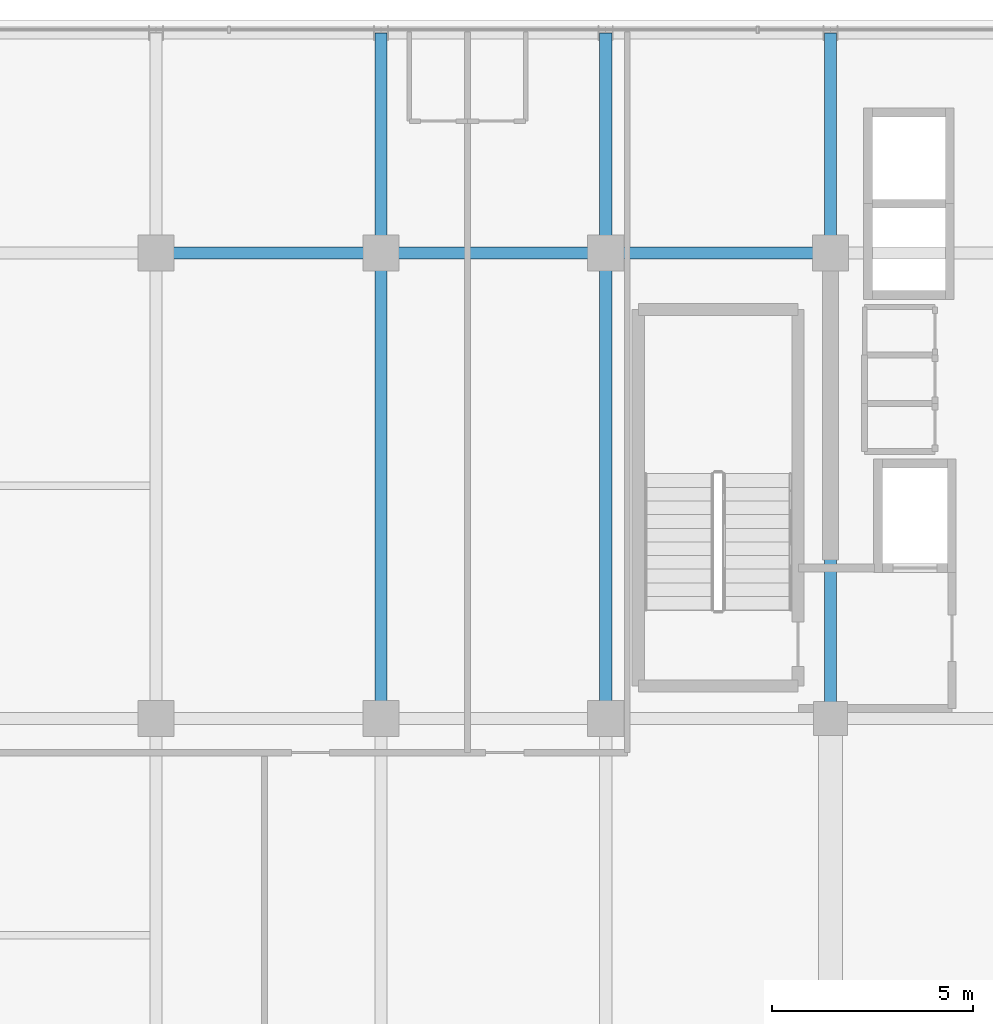
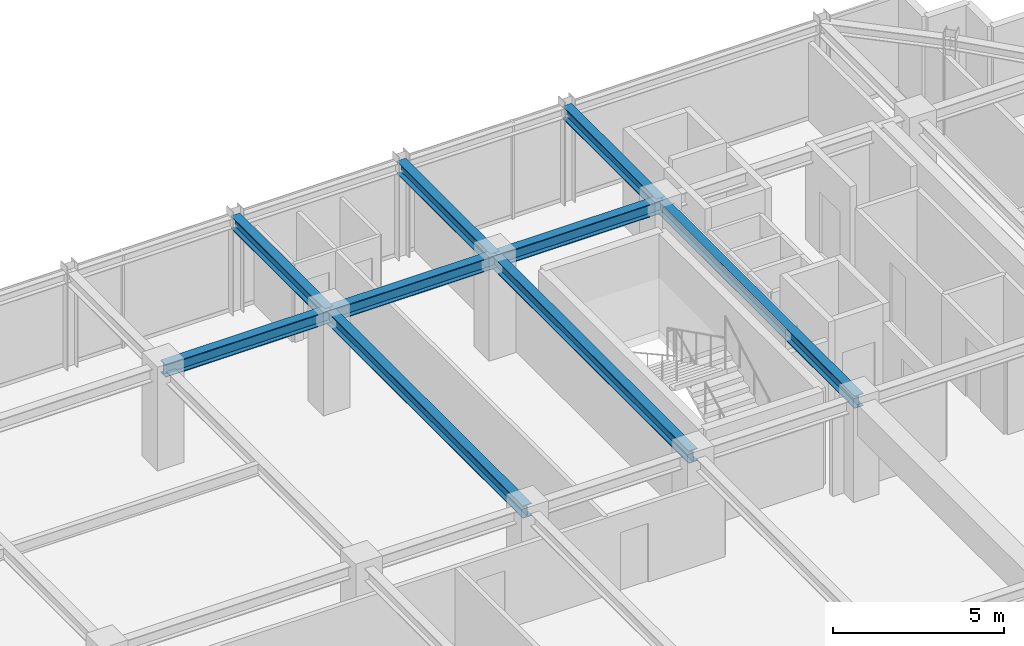
# One storey, part 18 of 33: 9 beams.
"""IFC4 building model written with IfcOpenShell, lengths in metres."""

from ifc_helpers import new_model, si_unit, direction, frame, origin, origin_2d, place, context, subcontext, project, spatial, i_section, extrude, source, transform, mapped, material, material_profile, profile_set, type_object, element, save


model = new_model("IFC4")

# Units and contexts
model_context = context("Model", 3, precision=1e-05, world=origin(), true_north=direction((0.0, 1.0)))
body_context = subcontext(model_context, "Body", "Model", "MODEL_VIEW")
ifc_project = project(units=[si_unit("LENGTHUNIT", "METRE"), si_unit("AREAUNIT", "SQUARE_METRE"), si_unit("VOLUMEUNIT", "CUBIC_METRE"), si_unit("PLANEANGLEUNIT", "RADIAN"), si_unit("MASSUNIT", "GRAM", prefix="KILO")], contexts=[model_context])

# Site, building, storey
site_placement = place(None, origin())
site = spatial("IfcSite", under=ifc_project, at=site_placement, CompositionType="ELEMENT")
building_placement = place(site_placement, origin())
building = spatial("IfcBuilding", under=site, at=building_placement, Name="Nahalor Promenade Grand Hotel", CompositionType="ELEMENT")
storey_placement = place(building_placement, frame((0.0, 0.0, 270.050048828125)))
storey = spatial("IfcBuildingStorey", under=building, at=storey_placement, Name="L69", CompositionType="ELEMENT", Elevation=270.050048828125)

# Beams
ifc_material = material(Name="Steel S355JR", Category="steel")
ifc_material_profile = material_profile(ifc_material, i_section(OverallWidth=0.3, OverallDepth=0.45, WebThickness=0.014, FlangeThickness=0.026, at=origin_2d()), Name="HEB 450")
ifc_profile_set = profile_set([ifc_material_profile], Name="Steel S355JR")
beam_type = type_object("IfcBeamType", Name="Beam-Girder-HEB450", PredefinedType="BEAM", material=ifc_profile_set)
shared_shape_1 = source(origin(), body_context, "Body", "SweptSolid", [
    extrude(i_section(OverallWidth=0.3, OverallDepth=0.45, WebThickness=0.014, FlangeThickness=0.026, at=origin_2d()), origin(), (0.0, 0.0, 1.0), 5.599853515625),
])
for number, where, z_axis, x_axis, name in (
    (1, (-8.39990234375, 17.0, 3.224853515625), (1.0, 0.0, 0.0), (0.0, 1.0, 0.0), "BM-L69-GX-3-2"),
    (2, (2.800048828125, 17.0, 3.224853515625), (1.0, 0.0, 0.0), (0.0, 1.0, 0.0), "BM-L69-GX-3-4"),
):
    element("IfcBeam", number, at=place(storey_placement, frame(where, z_axis=z_axis, x_axis=x_axis)), inside=storey, type_object=beam_type, Name=name, PredefinedType="BEAM", context=body_context, shape_type="MappedRepresentation", body=[
        mapped(shared_shape_1, transform((0.0, 0.0, 0.0), scale=1.0)),
    ])
shared_shape_2 = source(origin(), body_context, "Body", "SweptSolid", [
    extrude(i_section(OverallWidth=0.3, OverallDepth=0.45, WebThickness=0.014, FlangeThickness=0.026, at=origin_2d()), origin(), (0.0, 0.0, 1.0), 5.60009765625),
])
beam_placement = place(storey_placement, frame((-2.800048828125, 17.0, 3.224853515625), z_axis=(1.0, 0.0, 0.0), x_axis=(0.0, 1.0, 0.0)))
element("IfcBeam", 3, at=beam_placement, inside=storey, type_object=beam_type, Name="BM-L69-GX-3-3", PredefinedType="BEAM", context=body_context, shape_type="MappedRepresentation", body=[
    mapped(shared_shape_2, transform((0.0, 0.0, 0.0), scale=1.0)),
])
shared_shape_3 = source(origin(), body_context, "Body", "SweptSolid", [
    extrude(i_section(OverallWidth=0.3, OverallDepth=0.45, WebThickness=0.014, FlangeThickness=0.026, at=origin_2d()), origin(), (0.0, 0.0, 1.0), 11.60009765625),
])
for number, where, z_axis, x_axis, name in (
    (4, (-2.800048828125, 5.39990234375, 3.224853515625), (0.0, 1.0, 0.0), (-1.0, 0.0, 0.0), "BM-L69-GY-2-3"),
    (5, (2.800048828125, 5.39990234375, 3.224853515625), (0.0, 1.0, 0.0), (-1.0, 0.0, 0.0), "BM-L69-GY-3-3"),
    (6, (8.39990234375, 5.39990234375, 3.224853515625), (0.0, 1.0, 0.0), (-1.0, 0.0, 0.0), "BM-L69-GY-4-3"),
):
    element("IfcBeam", number, at=place(storey_placement, frame(where, z_axis=z_axis, x_axis=x_axis)), inside=storey, type_object=beam_type, Name=name, PredefinedType="BEAM", context=body_context, shape_type="MappedRepresentation", body=[
        mapped(shared_shape_3, transform((0.0, 0.0, 0.0), scale=1.0)),
    ])
shared_shape_4 = source(origin(), body_context, "Body", "SweptSolid", [
    extrude(i_section(OverallWidth=0.3, OverallDepth=0.45, WebThickness=0.014, FlangeThickness=0.026, at=origin_2d()), origin(), (0.0, 0.0, 1.0), 5.47998046875),
])
for number, where, z_axis, x_axis, name in (
    (7, (-2.800048828125, 17.0, 3.224853515625), (0.0, 1.0, 0.0), (-1.0, 0.0, 0.0), "BM-L69-GY-2-4"),
    (8, (2.800048828125, 17.0, 3.224853515625), (0.0, 1.0, 0.0), (-1.0, 0.0, 0.0), "BM-L69-GY-3-4"),
    (9, (8.39990234375, 17.0, 3.224853515625), (0.0, 1.0, 0.0), (-1.0, 0.0, 0.0), "BM-L69-GY-4-4"),
):
    element("IfcBeam", number, at=place(storey_placement, frame(where, z_axis=z_axis, x_axis=x_axis)), inside=storey, type_object=beam_type, Name=name, PredefinedType="BEAM", context=body_context, shape_type="MappedRepresentation", body=[
        mapped(shared_shape_4, transform((0.0, 0.0, 0.0), scale=1.0)),
    ])

save(model, "model.ifc")
